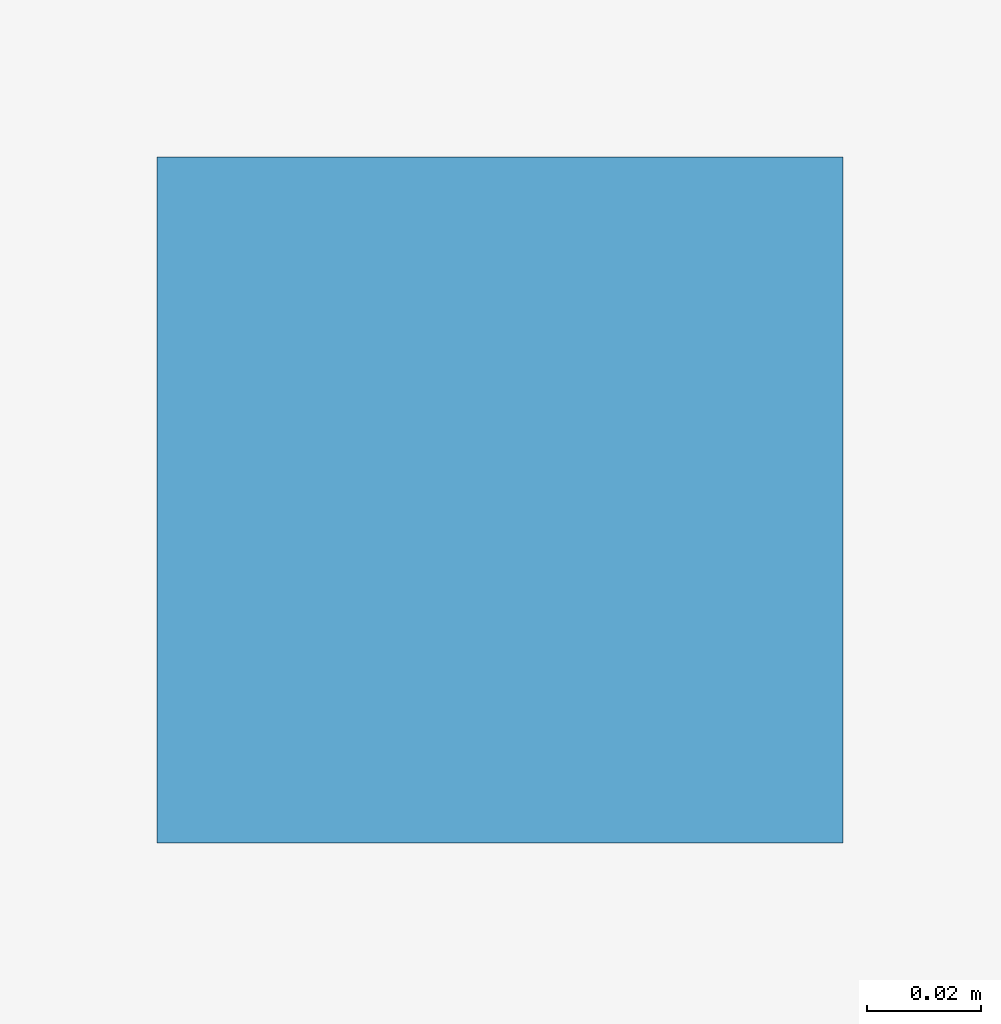
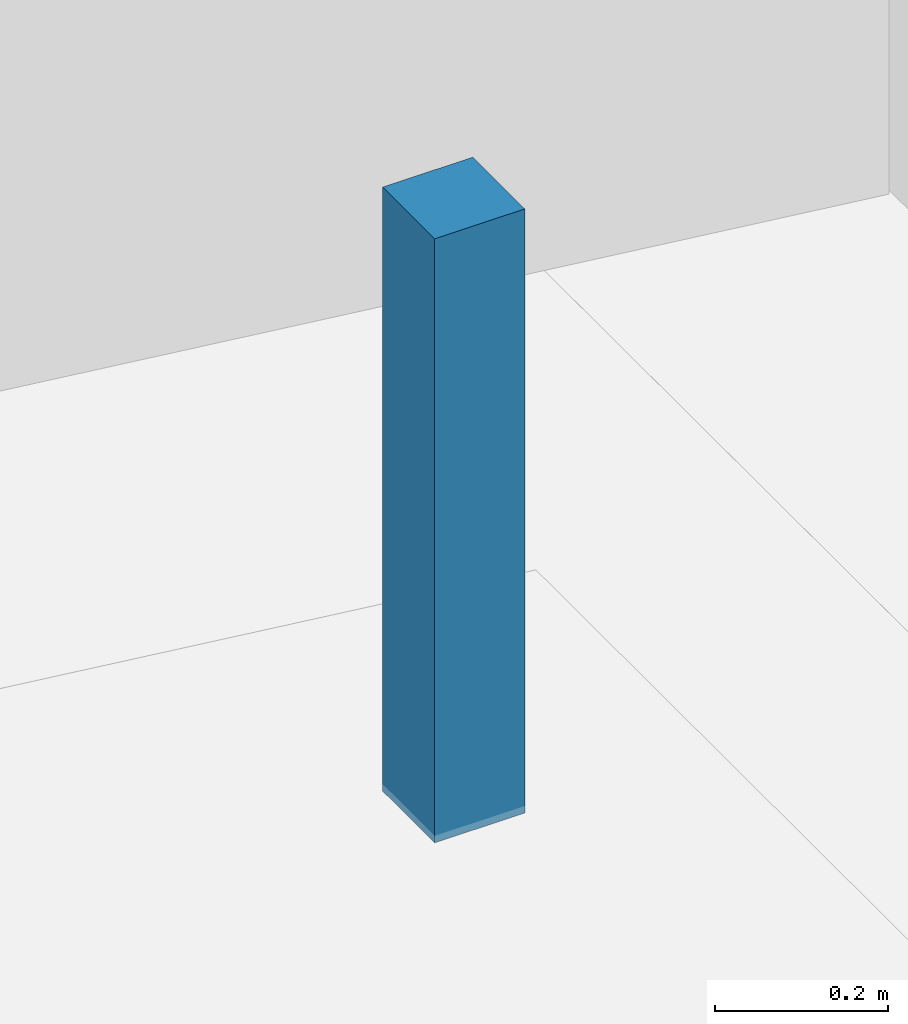
# One storey, part 101 of 113: 1 discrete accessory.
"""IFC4 building model written with IfcOpenShell, lengths in metres."""

from ifc_helpers import new_model, si_unit, direction, frame, origin, origin_2d, place, context, subcontext, project, spatial, rectangle, extrude, material, type_object, element, save


model = new_model("IFC4")

# Units and contexts
model_context = context("Model", 3, precision=1e-05, world=origin(), true_north=direction((0.0, 1.0)))
body_context = subcontext(model_context, "Body", "Model", "MODEL_VIEW")
ifc_project = project(units=[si_unit("LENGTHUNIT", "METRE"), si_unit("AREAUNIT", "SQUARE_METRE"), si_unit("VOLUMEUNIT", "CUBIC_METRE"), si_unit("PLANEANGLEUNIT", "RADIAN"), si_unit("MASSUNIT", "GRAM", prefix="KILO")], contexts=[model_context])

# Site, building, storey
site_placement = place(None, origin())
site = spatial("IfcSite", under=ifc_project, at=site_placement, CompositionType="ELEMENT")
building_placement = place(site_placement, origin())
building = spatial("IfcBuilding", under=site, at=building_placement, Name="Wrenclough Park School", CompositionType="ELEMENT")
storey_placement = place(building_placement, origin())
storey = spatial("IfcBuildingStorey", under=building, at=storey_placement, Name="L00", CompositionType="ELEMENT", Elevation=0.0)

# Discrete accessory
ifc_material = material(Name="Galvanised steel acoustic ceiling suspension hanger", Category="steel")
discrete_accessory_type = type_object("IfcDiscreteAccessoryType", Name="INT-BRK-HGR", PredefinedType="BRACKET", material=ifc_material)
discrete_accessory_placement = place(storey_placement, frame((8.01904296875, 87.747802734375, 3.08984375), z_axis=(0.0, 0.0, 1.0), x_axis=(1.0, 0.0, 0.0)))
element("IfcDiscreteAccessory", 1, at=discrete_accessory_placement, inside=storey, type_object=discrete_accessory_type, Name="Acoustic ceiling hanger bracket 0008", PredefinedType="BRACKET", context=body_context, shape_type="SweptSolid", body=[
    extrude(rectangle(XDim=0.1201171875, YDim=0.1201171875, at=origin_2d()), origin(), (0.0, 0.0, 1.0), 0.85009765625),
])

save(model, "model.ifc")
